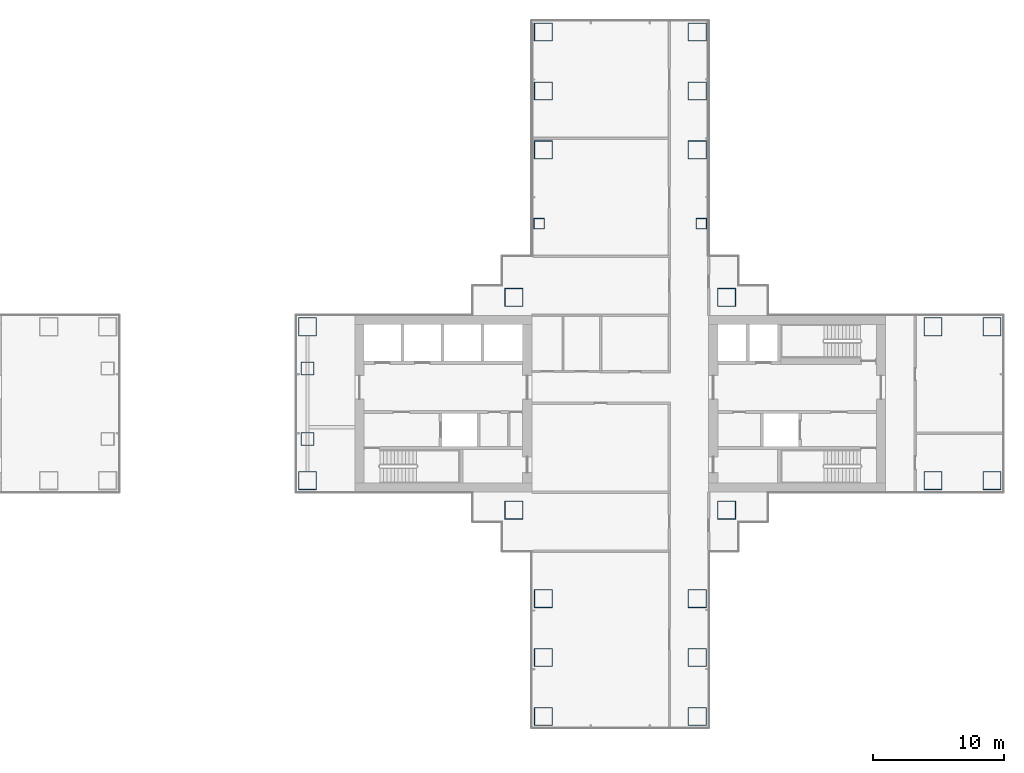
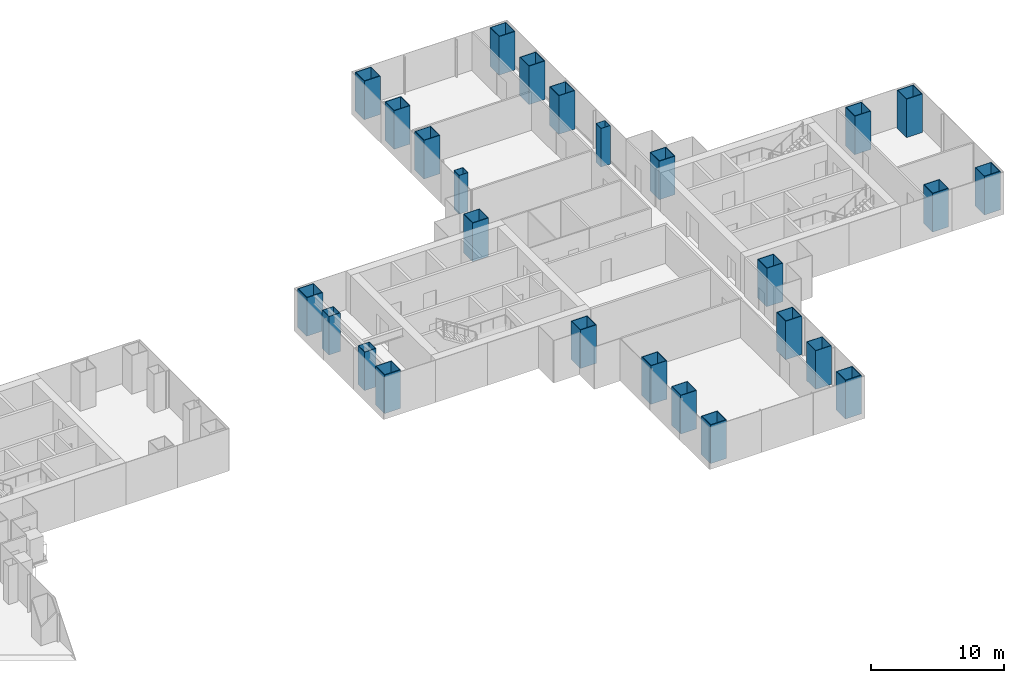
# One storey, part 2 of 21: 26 columns.
"""IFC4 building model written with IfcOpenShell, lengths in metres."""

import ifcopenshell
import ifcopenshell.guid

model = None  # the IFC model being written
_history = None  # IfcOwnerHistory: only IFC2X3 demands one
_inside = {}  # id of a spatial element -> (the spatial element, [elements in it])
_under = {}  # id of a project, library or spatial element -> (it, [spatial elements below it])
_declared = {}  # id of a project -> (the project, [libraries it declares])
_typed = {}  # id of a type object -> (the type object, [elements of that type])
_made_of = {}  # id of a material, layer set ... -> (it, [elements and type objects made of it])


def new_model(schema):
    """Start an empty IFC model of exactly this schema.

    Asked for "IFC4X3", IfcOpenShell would pick the latest addendum, in which some entities
    have other attributes; the version numbers below select the first issue.
    IFC2X3 requires an IfcOwnerHistory on every rooted entity: one is made here for all.
    """
    global model, _history
    if schema == "IFC4X3":
        model = ifcopenshell.file(schema_version=(4, 3, 0, 0))
    else:
        model = ifcopenshell.file(schema=schema)
    _inside.clear()
    _under.clear()
    _declared.clear()
    _typed.clear()
    _made_of.clear()
    _history = None
    if model.schema == "IFC2X3":
        org = make("IfcOrganization", Name="unknown")
        user = make(
            "IfcPersonAndOrganization",
            ThePerson=make("IfcPerson", FamilyName="unknown"),
            TheOrganization=org,
        )
        app = make(
            "IfcApplication",
            ApplicationDeveloper=org,
            Version="unknown",
            ApplicationFullName="unknown",
            ApplicationIdentifier="unknown",
        )
        _history = make(
            "IfcOwnerHistory",
            OwningUser=user,
            OwningApplication=app,
            ChangeAction="ADDED",
            CreationDate=0,
        )
    return model


def make(cls, **values):
    """One entity of the class cls with the attributes given. An attribute that is None is left unset."""
    return model.create_entity(
        cls, **{name: value for name, value in values.items() if value is not None}
    )


def rooted(cls, **values):
    """An entity with a GlobalId (a new one), such as an element, a storey or a relation."""
    return make(cls, GlobalId=ifcopenshell.guid.new(), OwnerHistory=_history, **values)


def si_unit(unit_type, name, prefix=None):
    """IfcSIUnit, for example si_unit("LENGTHUNIT", "METRE", prefix="MILLI")."""
    return make("IfcSIUnit", UnitType=unit_type, Prefix=prefix, Name=name)


def assignment(units):
    """IfcUnitAssignment: the units of a project."""
    return None if units is None else make("IfcUnitAssignment", Units=units)


def point(xyz):
    """IfcCartesianPoint."""
    return None if xyz is None else make("IfcCartesianPoint", Coordinates=xyz)


def direction(xyz):
    """IfcDirection."""
    return None if xyz is None else make("IfcDirection", DirectionRatios=xyz)


def frame(location, z_axis=None, x_axis=None):
    """IfcAxis2Placement3D, a coordinate frame: its origin and axes. An axis left out is left unset."""
    return make(
        "IfcAxis2Placement3D",
        Location=point(location),
        Axis=direction(z_axis),
        RefDirection=direction(x_axis),
    )


def frame_2d(location, x_axis=None):
    """IfcAxis2Placement2D, a coordinate frame in the plane: its origin and x axis."""
    return make(
        "IfcAxis2Placement2D", Location=point(location), RefDirection=direction(x_axis)
    )


def origin():
    """The frame at (0, 0, 0) with its axes left unset."""
    return frame((0.0, 0.0, 0.0))


def origin_2d():
    """The frame at (0, 0) in the plane with its x axis left unset."""
    return frame_2d((0.0, 0.0))


def place(relative_to, where):
    """IfcLocalPlacement: puts the frame where relative to a parent placement (None: the world)."""
    return make(
        "IfcLocalPlacement", PlacementRelTo=relative_to, RelativePlacement=where
    )


def context(
    kind, dimensions, precision=None, world=None, true_north=None, identifier=None
):
    """IfcGeometricRepresentationContext, for example the 3D "Model" context."""
    return make(
        "IfcGeometricRepresentationContext",
        ContextIdentifier=identifier,
        ContextType=kind,
        CoordinateSpaceDimension=dimensions,
        Precision=precision,
        WorldCoordinateSystem=world,
        TrueNorth=true_north,
    )


def subcontext(parent, identifier, kind, view, scale=None):
    """IfcGeometricRepresentationSubContext, for example "Body" below "Model"."""
    return make(
        "IfcGeometricRepresentationSubContext",
        ContextIdentifier=identifier,
        ContextType=kind,
        ParentContext=parent,
        TargetScale=scale,
        TargetView=view,
    )


def project(units=None, contexts=None):
    """IfcProject with its units and contexts."""
    return rooted(
        "IfcProject",
        Name="project",
        RepresentationContexts=contexts,
        UnitsInContext=assignment(units),
    )


def spatial(cls, under=None, at=None, **own):
    """A site, building, storey or space (cls), placed at a placement, below another one or the project."""
    s = rooted(cls, ObjectPlacement=at, **own)
    if under is not None:
        _under.setdefault(under.id(), (under, []))[1].append(s)
    return s


def profile(cls, at=None, kind="AREA", **sizes):
    """A parametric profile (cls). Its sizes go by their IFC names, for example OverallWidth=200.0."""
    return make(cls, ProfileType=kind, Position=at, **sizes)


def hollow_rectangle(**sizes):
    """IfcRectangleHollowProfileDef."""
    return profile("IfcRectangleHollowProfileDef", **sizes)


def extrude(swept, where, along, depth):
    """IfcExtrudedAreaSolid: the profile swept, set in the frame where, extruded along a direction by depth."""
    return make(
        "IfcExtrudedAreaSolid",
        SweptArea=swept,
        Position=where,
        ExtrudedDirection=direction(along),
        Depth=depth,
    )


def shape(context_of_items, identifier, shape_type, items):
    """IfcShapeRepresentation: the items that make up one representation, for example the "Body"."""
    return make(
        "IfcShapeRepresentation",
        ContextOfItems=context_of_items,
        RepresentationIdentifier=identifier,
        RepresentationType=shape_type,
        Items=items,
    )


def material(Name=None, Category=None):
    """IfcMaterial."""
    return make("IfcMaterial", Name=Name, Category=Category)


def material_profile(
    of_material, cross_section, Name=None, Category=None, Priority=None
):
    """IfcMaterialProfile: a cross section and its material."""
    return make(
        "IfcMaterialProfile",
        Name=Name,
        Material=of_material,
        Profile=cross_section,
        Priority=Priority,
        Category=Category,
    )


def profile_set(profiles, Name=None, composite=None):
    """IfcMaterialProfileSet."""
    return make(
        "IfcMaterialProfileSet",
        Name=Name,
        MaterialProfiles=profiles,
        CompositeProfile=composite,
    )


def made_of(thing, what):
    """Note that an element or type object is made of a material, layer set ...; save() writes the relation."""
    if what is not None:
        _made_of.setdefault(what.id(), (what, []))[1].append(thing)
    return thing


def type_object(cls, material=None, **own):
    """A type object (cls), such as IfcWallType, which elements share."""
    return made_of(rooted(cls, **own), material)


def element(
    cls,
    number,
    at=None,
    inside=None,
    cuts=None,
    type_object=None,
    material=None,
    context=None,
    identifier="Body",
    shape_type=None,
    held_by="IfcProductDefinitionShape",
    body=None,
    shapes=None,
    **own,
):
    """One element of the class cls, such as IfcWall. Its Tag is "e" and its number.

    at: its placement. inside: the storey or other place that contains it. cuts: it is an
    opening in that element (IfcRelVoidsElement). A single representation is given by context,
    identifier, shape_type and body (its items); several are given by shapes. held_by: the class
    of the entity that holds the representations. save() writes the other relations.
    """
    e = rooted(cls, Tag="e%d" % number, ObjectPlacement=at, **own)
    if body is not None:
        shapes = [shape(context, identifier, shape_type, body)]
    if shapes is not None:
        e.Representation = make(held_by, Representations=shapes)
    if inside is not None:
        _inside.setdefault(inside.id(), (inside, []))[1].append(e)
    if cuts is not None:
        rooted(
            "IfcRelVoidsElement", RelatingBuildingElement=cuts, RelatedOpeningElement=e
        )
    if type_object is not None:
        _typed.setdefault(type_object.id(), (type_object, []))[1].append(e)
    return made_of(e, material)


def aggregate(whole, parts):
    """IfcRelAggregates: a whole, such as a stair, and the parts it consists of."""
    return rooted("IfcRelAggregates", RelatingObject=whole, RelatedObjects=parts)


def save(model, path):
    """Write the relations noted so far, then the file.

    IfcRelAggregates (storeys below a building ...), IfcRelContainedInSpatialStructure (elements
    in a storey), IfcRelDefinesByType, IfcRelAssociatesMaterial and IfcRelDeclares: one each for
    every whole, place, type object, material and project.
    """
    for whole, parts in _under.values():
        aggregate(whole, parts)
    for where, things in _inside.values():
        rooted(
            "IfcRelContainedInSpatialStructure",
            RelatedElements=things,
            RelatingStructure=where,
        )
    for kind, things in _typed.values():
        rooted("IfcRelDefinesByType", RelatedObjects=things, RelatingType=kind)
    for what, things in _made_of.values():
        rooted("IfcRelAssociatesMaterial", RelatedObjects=things, RelatingMaterial=what)
    for by, libraries in _declared.values():
        rooted("IfcRelDeclares", RelatingContext=by, RelatedDefinitions=libraries)
    model.write(path)


model = new_model("IFC4")

# Units and contexts
model_context = context("Model", 3, precision=1e-05, world=origin(), true_north=direction((0.0, 1.0)))
body_context = subcontext(model_context, "Body", "Model", "MODEL_VIEW")
ifc_project = project(units=[si_unit("LENGTHUNIT", "METRE"), si_unit("AREAUNIT", "SQUARE_METRE"), si_unit("VOLUMEUNIT", "CUBIC_METRE"), si_unit("PLANEANGLEUNIT", "RADIAN"), si_unit("MASSUNIT", "GRAM", prefix="KILO")], contexts=[model_context])

# Site, building, storey
site_placement = place(None, origin())
site = spatial("IfcSite", under=ifc_project, at=site_placement, CompositionType="ELEMENT")
building_placement = place(site_placement, origin())
building = spatial("IfcBuilding", under=site, at=building_placement, Name="Shamsa Quay Exchange Towers", CompositionType="ELEMENT")
storey_placement = place(building_placement, frame((0.0, 0.0, 61.5)))
storey = spatial("IfcBuildingStorey", under=building, at=storey_placement, Name="L13", CompositionType="ELEMENT", Elevation=61.5)

# Columns
ifc_material_1 = material(Name="Concrete-filled steel tube S355 / C80/95", Category="concrete")
ifc_material_profile_1 = material_profile(ifc_material_1, hollow_rectangle(XDim=1.39990234375, YDim=1.39990234375, WallThickness=0.050048828125, at=origin_2d()), Name="CFT 1400x1400x50")
ifc_profile_set_1 = profile_set([ifc_material_profile_1], Name="Concrete-filled steel tube S355 / C80/95")
column_type_1 = type_object("IfcColumnType", Name="Column CFT 1400x1400x50", PredefinedType="COLUMN", material=ifc_profile_set_1)
for number, where, name in (
    (1, (25.625, 8.125, 0.0), "Mega column T2-CM01"),
    (2, (41.875, 8.125, 0.0), "Mega column T2-CM02"),
    (3, (25.625, -8.125, 0.0), "Mega column T2-CM03"),
    (4, (41.875, -8.125, 0.0), "Mega column T2-CM04"),
    (5, (39.625, 19.375, 0.0), "Mega column T2-CM06"),
    (6, (39.625, 23.875, 0.0), "Mega column T2-CM07"),
    (7, (39.625, 28.375, 0.0), "Mega column T2-CM08"),
    (8, (27.875, 19.375, 0.0), "Mega column T2-CM10"),
    (9, (27.875, 23.875, 0.0), "Mega column T2-CM11"),
    (10, (27.875, 28.375, 0.0), "Mega column T2-CM12"),
    (11, (39.625, -14.875, 0.0), "Mega column T2-CM13"),
    (12, (39.625, -19.375, 0.0), "Mega column T2-CM14"),
    (13, (39.625, -23.875, 0.0), "Mega column T2-CM15"),
    (14, (27.875, -14.875, 0.0), "Mega column T2-CM16"),
    (15, (27.875, -19.375, 0.0), "Mega column T2-CM17"),
    (16, (27.875, -23.875, 0.0), "Mega column T2-CM18"),
    (17, (9.875, -5.875, 0.0), "Mega column T2-CM19"),
    (18, (9.875, 5.875, 0.0), "Mega column T2-CM20"),
    (19, (57.625, -5.875, 0.0), "Mega column T2-CM21"),
    (20, (62.125, -5.875, 0.0), "Mega column T2-CM22"),
    (21, (57.625, 5.875, 0.0), "Mega column T2-CM23"),
    (22, (62.125, 5.875, 0.0), "Mega column T2-CM24"),
):
    element("IfcColumn", number, at=place(storey_placement, frame(where)), inside=storey, type_object=column_type_1, Name=name, PredefinedType="COLUMN", context=body_context, shape_type="SweptSolid", body=[
        extrude(hollow_rectangle(XDim=1.39990234375, YDim=1.39990234375, WallThickness=0.050048828125, at=origin_2d()), origin(), (0.0, 0.0, 1.0), 3.550048828125),
    ])
ifc_material_2 = material(Name="Concrete-filled steel tube S355 / C60/75", Category="concrete")
ifc_material_profile_2 = material_profile(ifc_material_2, hollow_rectangle(XDim=0.800048828125, YDim=0.800048828125, WallThickness=0.02490234375, at=origin_2d()), Name="CFT 800x800x25")
ifc_profile_set_2 = profile_set([ifc_material_profile_2], Name="Concrete-filled steel tube S355 / C60/75")
column_type_2 = type_object("IfcColumnType", Name="Column CFT 800x800x25", PredefinedType="COLUMN", material=ifc_profile_set_2)
for number, where, name in (
    (23, (39.9375, 13.75, 0.0), "Perimeter column T2-CP05"),
    (24, (27.5625, 13.75, 0.0), "Perimeter column T2-CP09"),
):
    element("IfcColumn", number, at=place(storey_placement, frame(where)), inside=storey, type_object=column_type_2, Name=name, PredefinedType="COLUMN", context=body_context, shape_type="SweptSolid", body=[
        extrude(hollow_rectangle(XDim=0.800048828125, YDim=0.800048828125, WallThickness=0.02490234375, at=origin_2d()), origin(), (0.0, 0.0, 1.0), 3.550048828125),
    ])
ifc_material_3 = material(Name="Concrete-filled steel tube S355 / C70/85", Category="concrete")
ifc_material_profile_3 = material_profile(ifc_material_3, hollow_rectangle(XDim=1.0, YDim=1.0, WallThickness=0.0400390625, at=origin_2d()), Name="CFT 1000x1000x40")
ifc_profile_set_3 = profile_set([ifc_material_profile_3], Name="Concrete-filled steel tube S355 / C70/85")
column_type_3 = type_object("IfcColumnType", Name="Landing column CFT 1000x1000x40", PredefinedType="COLUMN", material=ifc_profile_set_3)
for number, where, name in (
    (25, (9.875, -2.699951171875, 0.0), "Landing column T2 S"),
    (26, (9.875, 2.699951171875, 0.0), "Landing column T2 N"),
):
    element("IfcColumn", number, at=place(storey_placement, frame(where)), inside=storey, type_object=column_type_3, Name=name, PredefinedType="COLUMN", context=body_context, shape_type="SweptSolid", body=[
        extrude(hollow_rectangle(XDim=1.0, YDim=1.0, WallThickness=0.0400390625, at=origin_2d()), origin(), (0.0, 0.0, 1.0), 3.550048828125),
    ])

save(model, "model.ifc")
